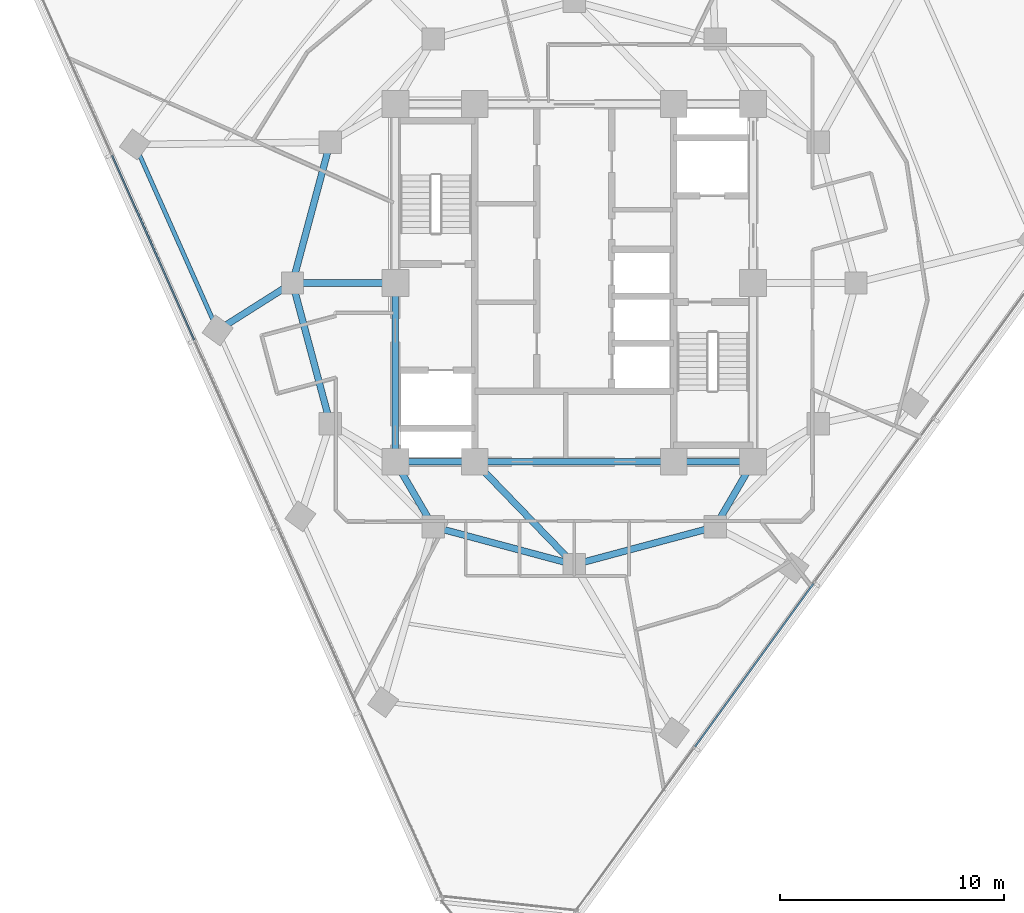
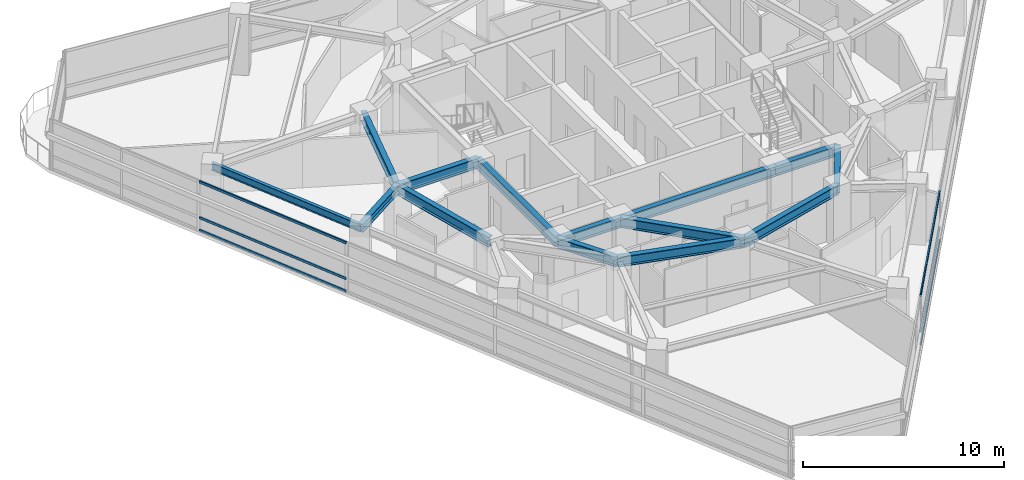
# One storey, part 3 of 15: 14 beams, 6 members, 2 elements without a shape of their own.
"""IFC4 building model written with IfcOpenShell, lengths in metres."""

from ifc_helpers import new_model, si_unit, direction, frame, origin, origin_2d, place, context, subcontext, project, spatial, rectangle, i_section, extrude, material, layer, layer_set, material_profile, profile_set, type_object, element, aggregate, save


model = new_model("IFC4")

# Units and contexts
model_context = context("Model", 3, precision=1e-05, world=origin(), true_north=direction((0.0, 1.0)))
body_context = subcontext(model_context, "Body", "Model", "MODEL_VIEW")
ifc_project = project(units=[si_unit("LENGTHUNIT", "METRE"), si_unit("AREAUNIT", "SQUARE_METRE"), si_unit("VOLUMEUNIT", "CUBIC_METRE"), si_unit("PLANEANGLEUNIT", "RADIAN"), si_unit("MASSUNIT", "GRAM", prefix="KILO")], contexts=[model_context])

# Site, building, storey
site_placement = place(None, origin())
site = spatial("IfcSite", under=ifc_project, at=site_placement, CompositionType="ELEMENT")
building_placement = place(site_placement, origin())
building = spatial("IfcBuilding", under=site, at=building_placement, Name="Terralouvre Media Tower", CompositionType="ELEMENT")
storey_placement = place(building_placement, frame((0.0, 0.0, 230.0)))
storey = spatial("IfcBuildingStorey", under=building, at=storey_placement, Name="L59", CompositionType="ELEMENT", Elevation=230.0)

# Curtain wall, members
ifc_material_1 = material(Name="Low-iron laminated double glazing with solar-control coating", Category="glass")
ifc_layer = layer(ifc_material_1, 0.1650390625, Name="Upper Executive Tower Curtain Wall CW-05")
ifc_layer_set = layer_set([ifc_layer], Name="Low-iron laminated double glazing with solar-control coating")
curtain_wall_type = type_object("IfcCurtainWallType", Name="Upper Executive Tower Curtain Wall CW-05", PredefinedType="NOTDEFINED", material=ifc_layer_set)
curtain_wall_1_placement = place(storey_placement, origin())
curtain_wall_1 = element("IfcCurtainWall", 1, at=curtain_wall_1_placement, inside=storey, type_object=curtain_wall_type, Name="L59 Facade Curtain Wall F0", PredefinedType="NOTDEFINED")
ifc_material_2 = material(Name="Anodised extruded aluminium 6063-T6", Category="aluminium")
ifc_material_profile_1 = material_profile(ifc_material_2, rectangle(XDim=0.074951171875, YDim=0.14990234375, at=origin_2d()), Name="ALU 75x150")
ifc_profile_set_1 = profile_set([ifc_material_profile_1], Name="Anodised extruded aluminium 6063-T6")
member_type = type_object("IfcMemberType", Name="Curtain-Wall Horizontal Transom TR-150", PredefinedType="USERDEFINED", material=ifc_profile_set_1)
member_1_placement = place(storey_placement, frame((5.39990234375, -20.749267578125, 0.03759765625), z_axis=(0.587772727709, 0.809026093869, 0.0), x_axis=(-0.809026093869, 0.587772727709, 0.0)))
member_1 = element("IfcMember", 2, at=member_1_placement, type_object=member_type, Name="CW-05 transom 2.1", ObjectType="TRANSOM", PredefinedType="USERDEFINED", context=body_context, shape_type="SweptSolid", body=[
    extrude(rectangle(XDim=0.074951171875, YDim=0.14990234375, at=origin_2d()), origin(), (0.0, 0.0, 1.0), 9.025146484375),
])
member_2_placement = place(storey_placement, frame((5.39990234375, -20.749267578125, 0.800048828125), z_axis=(0.587772727709, 0.809026093869, 0.0), x_axis=(-0.809026093869, 0.587772727709, 0.0)))
member_2 = element("IfcMember", 3, at=member_2_placement, type_object=member_type, Name="CW-05 transom 2.2", ObjectType="TRANSOM", PredefinedType="USERDEFINED", context=body_context, shape_type="SweptSolid", body=[
    extrude(rectangle(XDim=0.074951171875, YDim=0.14990234375, at=origin_2d()), origin(), (0.0, 0.0, 1.0), 9.025146484375),
])
member_3_placement = place(storey_placement, frame((5.39990234375, -20.749267578125, 2.96240234375), z_axis=(0.587772727709, 0.809026093869, 0.0), x_axis=(-0.809026093869, 0.587772727709, 0.0)))
member_3 = element("IfcMember", 4, at=member_3_placement, type_object=member_type, Name="CW-05 transom 2.3", ObjectType="TRANSOM", PredefinedType="USERDEFINED", context=body_context, shape_type="SweptSolid", body=[
    extrude(rectangle(XDim=0.074951171875, YDim=0.14990234375, at=origin_2d()), origin(), (0.0, 0.0, 1.0), 9.025146484375),
])
aggregate(curtain_wall_1, [member_1, member_2, member_3])

curtain_wall_2_placement = place(storey_placement, origin())
curtain_wall_2 = element("IfcCurtainWall", 5, at=curtain_wall_2_placement, inside=storey, type_object=curtain_wall_type, Name="L59 Facade Curtain Wall F2", PredefinedType="NOTDEFINED")
member_4_placement = place(storey_placement, frame((-20.66943359375, 5.6982421875, 0.03759765625), z_axis=(0.406740753437, -0.913543627581, 0.0), x_axis=(0.913543627581, 0.406740753437, 0.0)))
member_4 = element("IfcMember", 6, at=member_4_placement, type_object=member_type, Name="CW-05 transom 2.1", ObjectType="TRANSOM", PredefinedType="USERDEFINED", context=body_context, shape_type="SweptSolid", body=[
    extrude(rectangle(XDim=0.074951171875, YDim=0.14990234375, at=origin_2d()), origin(), (0.0, 0.0, 1.0), 9.025146484375),
])
member_5_placement = place(storey_placement, frame((-20.66943359375, 5.6982421875, 0.800048828125), z_axis=(0.406740753437, -0.913543627581, 0.0), x_axis=(0.913543627581, 0.406740753437, 0.0)))
member_5 = element("IfcMember", 7, at=member_5_placement, type_object=member_type, Name="CW-05 transom 2.2", ObjectType="TRANSOM", PredefinedType="USERDEFINED", context=body_context, shape_type="SweptSolid", body=[
    extrude(rectangle(XDim=0.074951171875, YDim=0.14990234375, at=origin_2d()), origin(), (0.0, 0.0, 1.0), 9.025146484375),
])
member_6_placement = place(storey_placement, frame((-20.66943359375, 5.6982421875, 2.96240234375), z_axis=(0.406740753437, -0.913543627581, 0.0), x_axis=(0.913543627581, 0.406740753437, 0.0)))
member_6 = element("IfcMember", 8, at=member_6_placement, type_object=member_type, Name="CW-05 transom 2.3", ObjectType="TRANSOM", PredefinedType="USERDEFINED", context=body_context, shape_type="SweptSolid", body=[
    extrude(rectangle(XDim=0.074951171875, YDim=0.14990234375, at=origin_2d()), origin(), (0.0, 0.0, 1.0), 9.025146484375),
])
aggregate(curtain_wall_2, [member_4, member_5, member_6])

# Beams
ifc_material_3 = material(Name="Structural steel S355J2", Category="steel")
ifc_material_profile_2 = material_profile(ifc_material_3, i_section(OverallWidth=0.18994140625, OverallDepth=0.449951171875, WebThickness=0.009521484375, FlangeThickness=0.0146484375, at=origin_2d()), Name="IPE 450")
ifc_profile_set_2 = profile_set([ifc_material_profile_2], Name="Structural steel S355J2")
beam_type_1 = type_object("IfcBeamType", Name="Perimeter Spandrel Beam SPB-450 (IPE 450)", PredefinedType="SPANDREL", material=ifc_profile_set_2)
beam_1_placement = place(storey_placement, frame((-19.65234375, 6.192138671875, 3.27490234375), z_axis=(0.406738273219, -0.913544731854, 0.0), x_axis=(0.913544731854, 0.406738273219, 0.0)))
element("IfcBeam", 9, at=beam_1_placement, inside=storey, type_object=beam_type_1, Name="L59 Framing Beam BM-L59-PR12", PredefinedType="SPANDREL", context=body_context, shape_type="SweptSolid", body=[
    extrude(i_section(OverallWidth=0.18994140625, OverallDepth=0.449951171875, WebThickness=0.009521484375, FlangeThickness=0.0146484375, at=origin_2d()), origin(), (0.0, 0.0, 1.0), 9.100341796875),
])
ifc_material_4 = material(Name="Structural steel S355J2", Category="steel")
ifc_material_profile_3 = material_profile(ifc_material_4, i_section(OverallWidth=0.300048828125, OverallDepth=0.5, WebThickness=0.014404296875, FlangeThickness=0.028076171875, at=origin_2d()), Name="HEB 500")
ifc_profile_set_3 = profile_set([ifc_material_profile_3], Name="Structural steel S355J2")
beam_type_2 = type_object("IfcBeamType", Name="Primary Floor Girder B-HEB500 (HEB 500)", PredefinedType="BEAM", material=ifc_profile_set_3)
beam_2_placement = place(storey_placement, frame((-12.60009765625, 0.0, 3.25), z_axis=(-0.844916454891, -0.534898293373, 0.0), x_axis=(0.534898293373, -0.844916454891, 0.0)))
element("IfcBeam", 10, at=beam_2_placement, inside=storey, type_object=beam_type_2, Name="L59 Framing Beam BM-L59-RD01", PredefinedType="BEAM", context=body_context, shape_type="SweptSolid", body=[
    extrude(i_section(OverallWidth=0.300048828125, OverallDepth=0.5, WebThickness=0.014404296875, FlangeThickness=0.028076171875, at=origin_2d()), origin(), (0.0, 0.0, 1.0), 3.9658203125),
])
ifc_material_5 = material(Name="Structural steel S460M", Category="steel")
ifc_material_profile_4 = material_profile(ifc_material_5, i_section(OverallWidth=0.300048828125, OverallDepth=0.60009765625, WebThickness=0.015380859375, FlangeThickness=0.030029296875, at=origin_2d()), Name="HEB 600")
ifc_profile_set_4 = profile_set([ifc_material_profile_4], Name="Structural steel S460M")
beam_type_3 = type_object("IfcBeamType", Name="Primary Floor Girder B-HEB600 (HEB 600)", PredefinedType="BEAM", material=ifc_profile_set_4)
beam_3_placement = place(storey_placement, frame((-8.0, -8.0, 3.199951171875), z_axis=(1.0, 0.0, 0.0), x_axis=(0.0, 1.0, 0.0)))
element("IfcBeam", 11, at=beam_3_placement, inside=storey, type_object=beam_type_3, Name="L59 Framing Beam BM-L59-CPR01", PredefinedType="BEAM", context=body_context, shape_type="SweptSolid", body=[
    extrude(i_section(OverallWidth=0.300048828125, OverallDepth=0.60009765625, WebThickness=0.015380859375, FlangeThickness=0.030029296875, at=origin_2d()), origin(), (0.0, 0.0, 1.0), 3.550048828125),
])
beam_4_placement = place(storey_placement, frame((-4.449951171875, -8.0, 3.199951171875), z_axis=(1.0, 0.0, 0.0), x_axis=(0.0, 1.0, 0.0)))
element("IfcBeam", 12, at=beam_4_placement, inside=storey, type_object=beam_type_3, Name="L59 Framing Beam BM-L59-CPR02", PredefinedType="BEAM", context=body_context, shape_type="SweptSolid", body=[
    extrude(i_section(OverallWidth=0.300048828125, OverallDepth=0.60009765625, WebThickness=0.015380859375, FlangeThickness=0.030029296875, at=origin_2d()), origin(), (0.0, 0.0, 1.0), 8.89990234375),
])
beam_5_placement = place(storey_placement, frame((4.449951171875, -8.0, 3.199951171875), z_axis=(1.0, 0.0, 0.0), x_axis=(0.0, 1.0, 0.0)))
element("IfcBeam", 13, at=beam_5_placement, inside=storey, type_object=beam_type_3, Name="L59 Framing Beam BM-L59-CPR03", PredefinedType="BEAM", context=body_context, shape_type="SweptSolid", body=[
    extrude(i_section(OverallWidth=0.300048828125, OverallDepth=0.60009765625, WebThickness=0.015380859375, FlangeThickness=0.030029296875, at=origin_2d()), origin(), (0.0, 0.0, 1.0), 3.550048828125),
])
beam_6_placement = place(storey_placement, frame((-8.0, 0.0, 3.199951171875), z_axis=(0.0, -1.0, 0.0), x_axis=(1.0, 0.0, 0.0)))
element("IfcBeam", 14, at=beam_6_placement, inside=storey, type_object=beam_type_3, Name="L59 Framing Beam BM-L59-CPR10", PredefinedType="BEAM", context=body_context, shape_type="SweptSolid", body=[
    extrude(i_section(OverallWidth=0.300048828125, OverallDepth=0.60009765625, WebThickness=0.015380859375, FlangeThickness=0.030029296875, at=origin_2d()), origin(), (0.0, 0.0, 1.0), 8.0),
])
for number, where, z_axis, x_axis, name in (
    (15, (-6.300048828125, -10.911865234375, 3.199951171875), (0.965920481897, -0.258838989821, 0.0), (0.258838989821, 0.965920481897, 0.0), "L59 Framing Beam BM-L59-MR02"),
    (16, (0.0, -12.60009765625, 3.199951171875), (0.965920481897, 0.258838989821, 0.0), (-0.258838989821, 0.965920481897, 0.0), "L59 Framing Beam BM-L59-MR03"),
    (17, (-10.911865234375, 6.300048828125, 3.199951171875), (-0.258838989821, -0.965920481897, 0.0), (0.965920481897, -0.258838989821, 0.0), "L59 Framing Beam BM-L59-MR11"),
    (18, (-12.60009765625, 0.0, 3.199951171875), (0.258838989821, -0.965920481897, 0.0), (0.965920481897, 0.258838989821, 0.0), "L59 Framing Beam BM-L59-MR12"),
):
    element("IfcBeam", number, at=place(storey_placement, frame(where, z_axis=z_axis, x_axis=x_axis)), inside=storey, type_object=beam_type_3, Name=name, PredefinedType="BEAM", context=body_context, shape_type="SweptSolid", body=[
        extrude(i_section(OverallWidth=0.300048828125, OverallDepth=0.60009765625, WebThickness=0.015380859375, FlangeThickness=0.030029296875, at=origin_2d()), origin(), (0.0, 0.0, 1.0), 6.522216796875),
    ])
beam_7_placement = place(storey_placement, frame((-8.0, -8.0, 3.199951171875), z_axis=(0.504172629717, -0.863602894532, 0.0), x_axis=(0.863602894532, 0.504172629717, 0.0)))
element("IfcBeam", 19, at=beam_7_placement, inside=storey, type_object=beam_type_3, Name="L59 Framing Beam BM-L59-CM02", PredefinedType="BEAM", context=body_context, shape_type="SweptSolid", body=[
    extrude(i_section(OverallWidth=0.300048828125, OverallDepth=0.60009765625, WebThickness=0.015380859375, FlangeThickness=0.030029296875, at=origin_2d()), origin(), (0.0, 0.0, 1.0), 3.371826171875),
])
beam_8_placement = place(storey_placement, frame((-4.449951171875, -8.0, 3.199951171875), z_axis=(0.695279715726, -0.718739255155, 0.0), x_axis=(0.718739255155, 0.695279715726, 0.0)))
element("IfcBeam", 20, at=beam_8_placement, inside=storey, type_object=beam_type_3, Name="L59 Framing Beam BM-L59-CM03", PredefinedType="BEAM", context=body_context, shape_type="SweptSolid", body=[
    extrude(i_section(OverallWidth=0.300048828125, OverallDepth=0.60009765625, WebThickness=0.015380859375, FlangeThickness=0.030029296875, at=origin_2d()), origin(), (0.0, 0.0, 1.0), 6.400146484375),
])
beam_9_placement = place(storey_placement, frame((8.0, -8.0, 3.199951171875), z_axis=(-0.504172629717, -0.863602894532, 0.0), x_axis=(0.863602894532, -0.504172629717, 0.0)))
element("IfcBeam", 21, at=beam_9_placement, inside=storey, type_object=beam_type_3, Name="L59 Framing Beam BM-L59-CM04", PredefinedType="BEAM", context=body_context, shape_type="SweptSolid", body=[
    extrude(i_section(OverallWidth=0.300048828125, OverallDepth=0.60009765625, WebThickness=0.015380859375, FlangeThickness=0.030029296875, at=origin_2d()), origin(), (0.0, 0.0, 1.0), 3.371826171875),
])
beam_10_placement = place(storey_placement, frame((-8.0, 0.0, 3.199951171875), z_axis=(-1.0, 0.0, 0.0), x_axis=(0.0, -1.0, 0.0)))
element("IfcBeam", 22, at=beam_10_placement, inside=storey, type_object=beam_type_3, Name="L59 Framing Beam BM-L59-CM12", PredefinedType="BEAM", context=body_context, shape_type="SweptSolid", body=[
    extrude(i_section(OverallWidth=0.300048828125, OverallDepth=0.60009765625, WebThickness=0.015380859375, FlangeThickness=0.030029296875, at=origin_2d()), origin(), (0.0, 0.0, 1.0), 4.60009765625),
])

save(model, "model.ifc")
